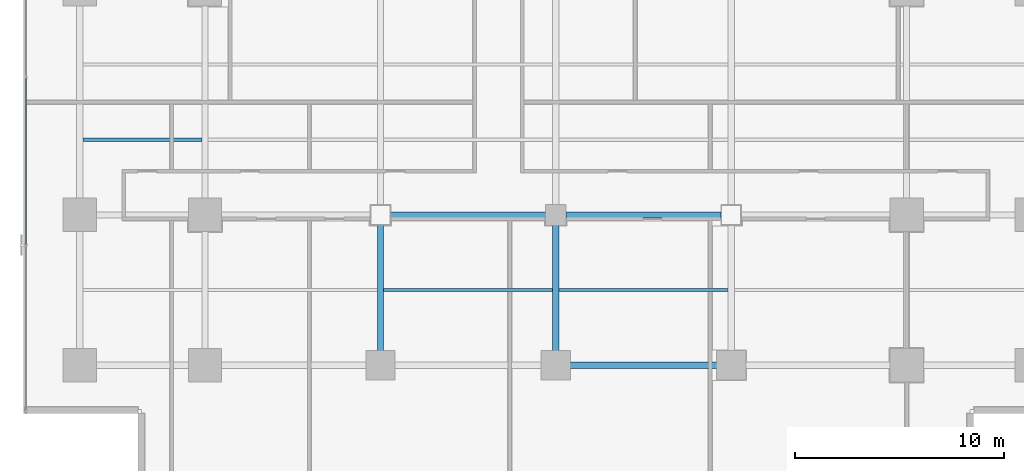
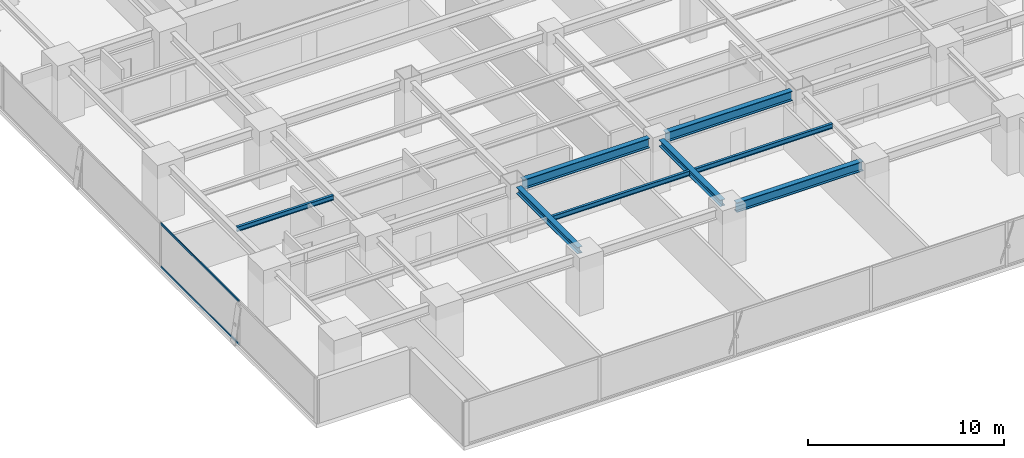
# One storey, part 7 of 35: 8 beams, 2 members, 1 element without a shape of its own.
"""IFC4 building model written with IfcOpenShell, lengths in metres."""

from ifc_helpers import new_model, si_unit, direction, frame, origin, origin_2d, place, context, subcontext, project, spatial, hollow_rectangle, i_section, extrude, source, transform, mapped, material, layer, layer_set, material_profile, profile_set, type_object, element, aggregate, save


model = new_model("IFC4")

# Units and contexts
model_context = context("Model", 3, precision=1e-05, world=origin(), true_north=direction((0.0, 1.0)))
body_context = subcontext(model_context, "Body", "Model", "MODEL_VIEW")
ifc_project = project(units=[si_unit("LENGTHUNIT", "METRE"), si_unit("AREAUNIT", "SQUARE_METRE"), si_unit("VOLUMEUNIT", "CUBIC_METRE"), si_unit("PLANEANGLEUNIT", "RADIAN"), si_unit("MASSUNIT", "GRAM", prefix="KILO")], contexts=[model_context])

# Site, building, storey
site_placement = place(None, origin())
site = spatial("IfcSite", under=ifc_project, at=site_placement, CompositionType="ELEMENT")
building_placement = place(site_placement, origin())
building = spatial("IfcBuilding", under=site, at=building_placement, Name="Sumidabori Civic Tower", CompositionType="ELEMENT")
storey_placement = place(building_placement, frame((0.0, 0.0, 102.800048828125)))
storey = spatial("IfcBuildingStorey", under=building, at=storey_placement, Name="L26", CompositionType="ELEMENT", Elevation=102.800048828125)

# Beams
ifc_material_1 = material(Name="Steel SN490", Category="steel")
ifc_material_profile_1 = material_profile(ifc_material_1, i_section(OverallWidth=0.300048828125, OverallDepth=0.60009765625, WebThickness=0.015380859375, FlangeThickness=0.030029296875, at=origin_2d()), Name="HE 600 B")
ifc_profile_set_1 = profile_set([ifc_material_profile_1], Name="Steel SN490")
beam_type_1 = type_object("IfcBeamType", Name="BM-GIRD-600", PredefinedType="BEAM", material=ifc_profile_set_1)
shared_shape_1 = source(origin(), body_context, "Body", "SweptSolid", [
    extrude(i_section(OverallWidth=0.300048828125, OverallDepth=0.60009765625, WebThickness=0.015380859375, FlangeThickness=0.030029296875, at=origin_2d()), origin(), (0.0, 0.0, 1.0), 7.43994140625),
])
for number, where, z_axis, x_axis, name in (
    (1, (0.47998046875, -18.0, 3.06005859375), (1.0, 0.0, 0.0), (0.0, 1.0, 0.0), "Primary Girder L26 GX-04"),
    (2, (-7.919921875, -10.800048828125, 3.06005859375), (1.0, 0.0, 0.0), (0.0, 1.0, 0.0), "Primary Girder L26 GX-09"),
    (3, (0.47998046875, -10.800048828125, 3.06005859375), (1.0, 0.0, 0.0), (0.0, 1.0, 0.0), "Primary Girder L26 GX-10"),
):
    element("IfcBeam", number, at=place(storey_placement, frame(where, z_axis=z_axis, x_axis=x_axis)), inside=storey, type_object=beam_type_1, Name=name, PredefinedType="BEAM", context=body_context, shape_type="MappedRepresentation", body=[
        mapped(shared_shape_1, transform((0.0, 0.0, 0.0), x_axis=(1.0, 0.0, 0.0), y_axis=(0.0, 1.0, 0.0), z_axis=(0.0, 0.0, 1.0), scale=1.0)),
    ])
ifc_material_profile_2 = material_profile(ifc_material_1, i_section(OverallWidth=0.300048828125, OverallDepth=0.39990234375, WebThickness=0.013427734375, FlangeThickness=0.02392578125, at=origin_2d()), Name="HE 400 B")
ifc_profile_set_2 = profile_set([ifc_material_profile_2], Name="Steel SN490")
beam_type_2 = type_object("IfcBeamType", Name="BM-GIRD-400", PredefinedType="BEAM", material=ifc_profile_set_2)
shared_shape_2 = source(origin(), body_context, "Body", "SweptSolid", [
    extrude(i_section(OverallWidth=0.300048828125, OverallDepth=0.39990234375, WebThickness=0.013427734375, FlangeThickness=0.02392578125, at=origin_2d()), origin(), (0.0, 0.0, 1.0), 6.239990234375),
])
for number, where, z_axis, x_axis, name in (
    (4, (-8.39990234375, -17.52001953125, 3.159912109375), (0.0, 1.0, 0.0), (-1.0, 0.0, 0.0), "Primary Girder L26 GY-29"),
    (5, (0.0, -17.52001953125, 3.159912109375), (0.0, 1.0, 0.0), (-1.0, 0.0, 0.0), "Primary Girder L26 GY-31"),
):
    element("IfcBeam", number, at=place(storey_placement, frame(where, z_axis=z_axis, x_axis=x_axis)), inside=storey, type_object=beam_type_2, Name=name, PredefinedType="BEAM", context=body_context, shape_type="MappedRepresentation", body=[
        mapped(shared_shape_2, transform((0.0, 0.0, 0.0), x_axis=(1.0, 0.0, 0.0), y_axis=(0.0, 1.0, 0.0), z_axis=(0.0, 0.0, 1.0), scale=1.0)),
    ])
ifc_material_profile_3 = material_profile(ifc_material_1, i_section(OverallWidth=0.14990234375, OverallDepth=0.300048828125, WebThickness=0.007080078125, FlangeThickness=0.0107421875, at=origin_2d()), Name="IPE 300")
ifc_profile_set_3 = profile_set([ifc_material_profile_3], Name="Steel SN490")
beam_type_3 = type_object("IfcBeamType", Name="BM-JST-300", PredefinedType="JOIST", material=ifc_profile_set_3)
shared_shape_3 = source(origin(), body_context, "Body", "SweptSolid", [
    extrude(i_section(OverallWidth=0.14990234375, OverallDepth=0.300048828125, WebThickness=0.007080078125, FlangeThickness=0.0107421875, at=origin_2d()), origin(), (0.0, 0.0, 1.0), 5.699951171875),
])
beam_placement = place(storey_placement, frame((-22.64990234375, -7.199951171875, 3.2099609375), z_axis=(1.0, 0.0, 0.0), x_axis=(0.0, 1.0, 0.0)))
element("IfcBeam", 6, at=beam_placement, inside=storey, type_object=beam_type_3, Name="Outer Bay Floor Joist L26 JSTO-43", PredefinedType="JOIST", context=body_context, shape_type="MappedRepresentation", body=[
    mapped(shared_shape_3, transform((0.0, 0.0, 0.0), x_axis=(1.0, 0.0, 0.0), y_axis=(0.0, 1.0, 0.0), z_axis=(0.0, 0.0, 1.0), scale=1.0)),
])
shared_shape_4 = source(origin(), body_context, "Body", "SweptSolid", [
    extrude(i_section(OverallWidth=0.14990234375, OverallDepth=0.300048828125, WebThickness=0.007080078125, FlangeThickness=0.0107421875, at=origin_2d()), origin(), (0.0, 0.0, 1.0), 8.10009765625),
])
for number, where, z_axis, x_axis, name in (
    (7, (-8.25, -14.39990234375, 3.2099609375), (1.0, 0.0, 0.0), (0.0, 1.0, 0.0), "South Bay Floor Joist L26 JSTS-56"),
    (8, (0.14990234375, -14.39990234375, 3.2099609375), (1.0, 0.0, 0.0), (0.0, 1.0, 0.0), "South Bay Floor Joist L26 JSTS-57"),
):
    element("IfcBeam", number, at=place(storey_placement, frame(where, z_axis=z_axis, x_axis=x_axis)), inside=storey, type_object=beam_type_3, Name=name, PredefinedType="JOIST", context=body_context, shape_type="MappedRepresentation", body=[
        mapped(shared_shape_4, transform((0.0, 0.0, 0.0), x_axis=(1.0, 0.0, 0.0), y_axis=(0.0, 1.0, 0.0), z_axis=(0.0, 0.0, 1.0), scale=1.0)),
    ])

# Curtain wall, members
ifc_material_2 = material(Name="Anodised Bronze Aluminium AW-6063-T6", Category="aluminium")
ifc_layer = layer(ifc_material_2, 0.179931640625, Name="Anodised Bronze Aluminium AW-6063-T6")
ifc_layer_set = layer_set([ifc_layer], Name="Anodised Bronze Aluminium AW-6063-T6")
curtain_wall_type = type_object("IfcCurtainWallType", Name="CW-SYS-3", PredefinedType="NOTDEFINED", material=ifc_layer_set)
curtain_wall_placement = place(storey_placement, origin())
curtain_wall = element("IfcCurtainWall", 9, at=curtain_wall_placement, inside=storey, type_object=curtain_wall_type, Name="Curtain Wall CW:L26:R10", PredefinedType="NOTDEFINED")
ifc_material_profile_4 = material_profile(ifc_material_2, hollow_rectangle(XDim=0.06005859375, YDim=0.1298828125, WallThickness=0.0048828125, at=origin_2d()), Name="ALU TRANSOM 130x60")
ifc_profile_set_4 = profile_set([ifc_material_profile_4], Name="Anodised Bronze Aluminium AW-6063-T6")
member_type = type_object("IfcMemberType", Name="CW-TRN-130", PredefinedType="USERDEFINED", material=ifc_profile_set_4)
shared_shape_5 = source(origin(), body_context, "Body", "SweptSolid", [
    extrude(hollow_rectangle(XDim=0.06005859375, YDim=0.1298828125, WallThickness=0.0048828125, at=origin_2d()), origin(), (0.0, 0.0, 1.0), 7.962890625),
])
member_1_placement = place(storey_placement, frame((-25.3798828125, -4.24658203125, 0.030029296875), z_axis=(0.0, -1.0, 0.0), x_axis=(1.0, 0.0, 0.0)))
member_1 = element("IfcMember", 10, at=member_1_placement, type_object=member_type, Name="CW-3 transom 4.1", ObjectType="TRANSOM", PredefinedType="USERDEFINED", context=body_context, shape_type="MappedRepresentation", body=[
    mapped(shared_shape_5, transform((0.0, 0.0, 0.0), x_axis=(1.0, 0.0, 0.0), y_axis=(0.0, 1.0, 0.0), z_axis=(0.0, 0.0, 1.0), scale=1.0)),
])
member_2_placement = place(storey_placement, frame((-25.3798828125, -4.24658203125, 2.7099609375), z_axis=(0.0, -1.0, 0.0), x_axis=(1.0, 0.0, 0.0)))
member_2 = element("IfcMember", 11, at=member_2_placement, type_object=member_type, Name="CW-3 transom 4.2", ObjectType="TRANSOM", PredefinedType="USERDEFINED", context=body_context, shape_type="MappedRepresentation", body=[
    mapped(shared_shape_5, transform((0.0, 0.0, 0.0), x_axis=(1.0, 0.0, 0.0), y_axis=(0.0, 1.0, 0.0), z_axis=(0.0, 0.0, 1.0), scale=1.0)),
])
aggregate(curtain_wall, [member_1, member_2])

save(model, "model.ifc")
